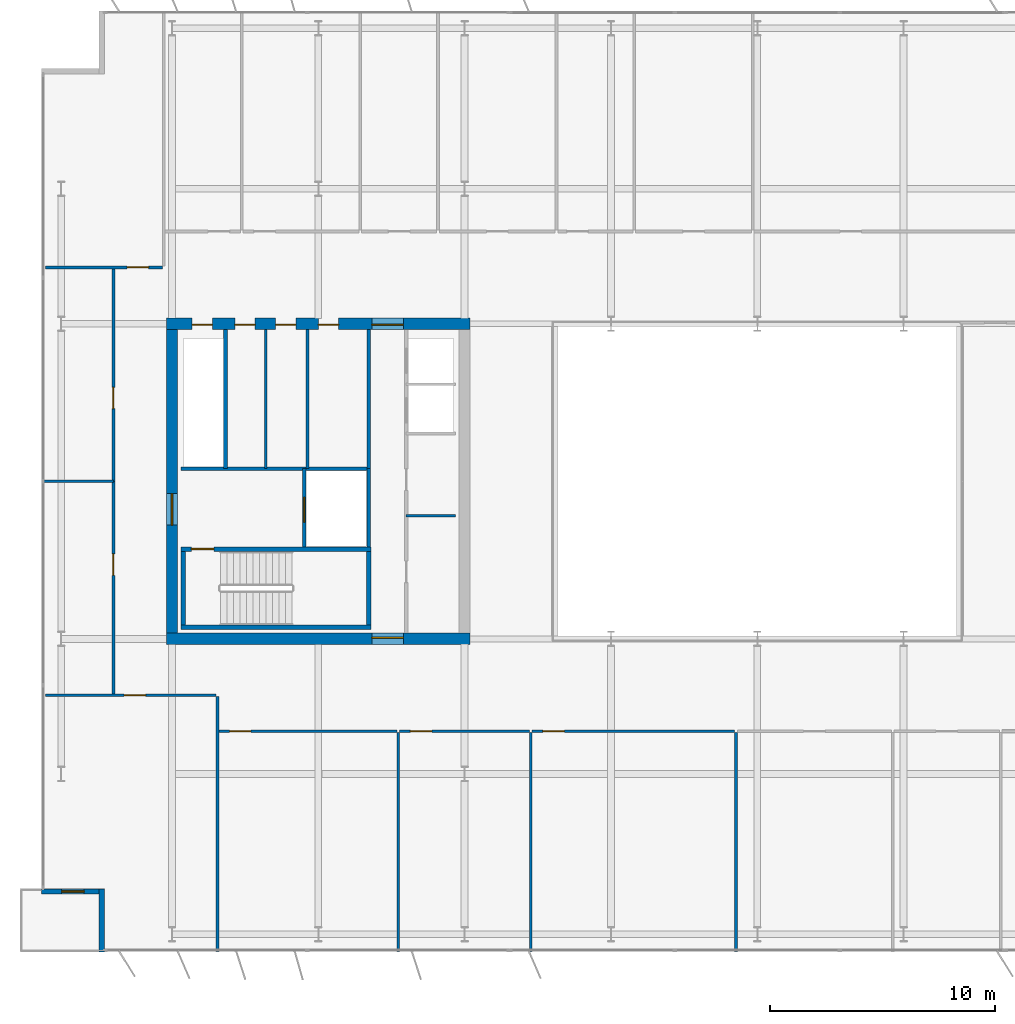
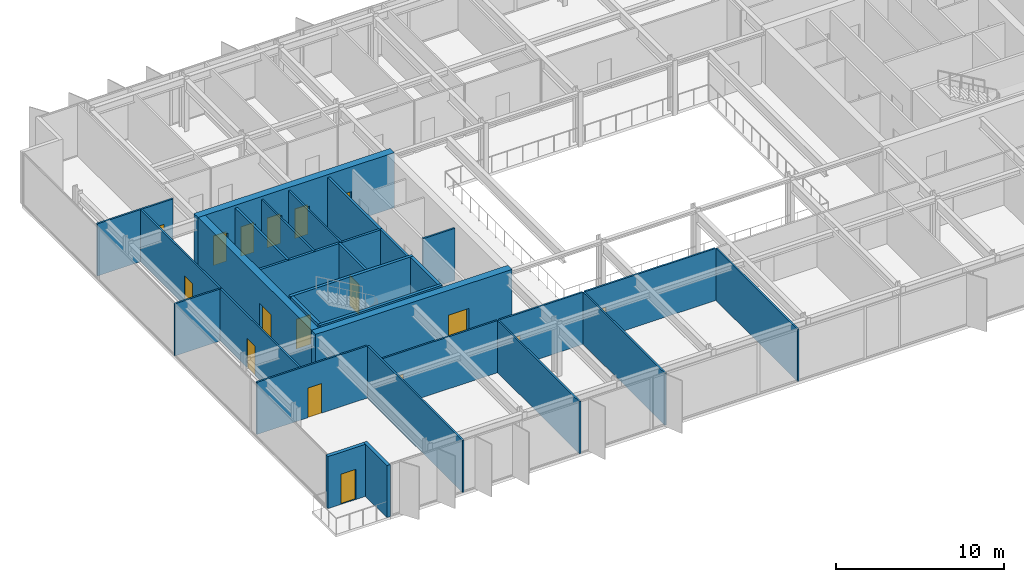
# One storey, part 13 of 20: 29 walls, 17 doors, 17 openings.
"""IFC4 building model written with IfcOpenShell, lengths in metres."""

from ifc_helpers import new_model, si_unit, direction, frame, frame_2d, origin, place, context, subcontext, project, spatial, rectangle, extrude, material, layer, layer_set, type_object, element, fill, save


model = new_model("IFC4")

# Units and contexts
model_context = context("Model", 3, precision=1e-05, world=origin(), true_north=direction((0.0, 1.0)))
body_context = subcontext(model_context, "Body", "Model", "MODEL_VIEW")
ifc_project = project(units=[si_unit("LENGTHUNIT", "METRE"), si_unit("AREAUNIT", "SQUARE_METRE"), si_unit("VOLUMEUNIT", "CUBIC_METRE"), si_unit("PLANEANGLEUNIT", "RADIAN"), si_unit("MASSUNIT", "GRAM", prefix="KILO")], contexts=[model_context])

# Site, building, storey
site_placement = place(None, origin())
site = spatial("IfcSite", under=ifc_project, at=site_placement, CompositionType="ELEMENT")
building_placement = place(site_placement, origin())
building = spatial("IfcBuilding", under=site, at=building_placement, Name="Putna Gate Headquarters", CompositionType="ELEMENT")
storey_placement = place(building_placement, frame((0.0, 0.0, 286.39990234375)))
storey = spatial("IfcBuildingStorey", under=building, at=storey_placement, Name="L72", CompositionType="ELEMENT", Elevation=286.39990234375)

# Wall, opening, door
ifc_material_1 = material(Name="Concrete C50/60", Category="concrete")
ifc_layer_1 = layer(ifc_material_1, 0.5)
ifc_layer_set_1 = layer_set([ifc_layer_1], Name="Concrete C50/60")
wall_type_1 = type_object("IfcWallType", Name="WALL-CORE-500", PredefinedType="SHEAR", material=ifc_layer_set_1)
wall_1_placement = place(storey_placement, frame((12.75, 19.0, 0.0), z_axis=(0.0, 0.0, 1.0), x_axis=(1.0, 0.0, 0.0)))
wall_1 = element("IfcWall", 1, at=wall_1_placement, inside=storey, type_object=wall_type_1, Name="L72 WC Split Core Shear Wall S", PredefinedType="SHEAR", context=body_context, shape_type="SweptSolid", body=[
    extrude(rectangle(XDim=13.5, YDim=0.5, at=frame_2d((6.75, 0.0))), origin(), (0.0, 0.0, 1.0), 4.0),
])
opening_1_placement = place(wall_1_placement, frame((9.1298828125, 0.0, 0.0)))
opening_1 = element("IfcOpeningElement", 2, at=opening_1_placement, cuts=wall_1, Name="Opening FDD-140", PredefinedType="OPENING", context=body_context, shape_type="SweptSolid", body=[
    extrude(rectangle(XDim=1.39990234375, YDim=2.199951171875, at=frame_2d((0.699951171875, 1.10009765625))), frame((0.0, 0.260009765625, 0.0), z_axis=(0.0, -1.0, 0.0), x_axis=(1.0, 0.0, 0.0)), (0.0, 0.0, 1.0), 0.52001953125),
])
ifc_material_2 = material(Name="Double steel fire door", Category="steel")
door_type_1 = type_object("IfcDoorType", Name="DOOR-FIRE-DBL-1400", OperationType="DOUBLE_DOOR_SINGLE_SWING", PredefinedType="DOOR", material=ifc_material_2)
door_1_placement = place(opening_1_placement, origin())
door_1 = element("IfcDoor", 3, at=door_1_placement, inside=storey, type_object=door_type_1, Name="L72 West Lift Lobby South Door", OperationType="DOUBLE_DOOR_SINGLE_SWING", OverallHeight=2.199951171875, OverallWidth=1.39990234375, PredefinedType="DOOR", context=body_context, shape_type="SweptSolid", body=[
    extrude(rectangle(XDim=1.39990234375, YDim=2.199951171875, at=frame_2d((0.699951171875, 1.10009765625))), frame((0.0, 0.0751953125, 0.0), z_axis=(0.0, -1.0, 0.0), x_axis=(1.0, 0.0, 0.0)), (0.0, 0.0, 1.0), 0.050048828125),
])
fill(opening_1, door_1)

# Wall, openings, doors
wall_2_placement = place(storey_placement, frame((12.75, 33.0, 0.0), z_axis=(0.0, 0.0, 1.0), x_axis=(1.0, 0.0, 0.0)))
wall_2 = element("IfcWall", 4, at=wall_2_placement, inside=storey, type_object=wall_type_1, Name="L72 WC Split Core Shear Wall N", PredefinedType="SHEAR", context=body_context, shape_type="SweptSolid", body=[
    extrude(rectangle(XDim=13.5, YDim=0.5, at=frame_2d((6.75, 0.0))), origin(), (0.0, 0.0, 1.0), 4.0),
])
opening_2_placement = place(wall_2_placement, frame((1.14990234375, 0.0, 0.0)))
opening_2 = element("IfcOpeningElement", 5, at=opening_2_placement, cuts=wall_2, Name="Opening RD-90", PredefinedType="OPENING", context=body_context, shape_type="SweptSolid", body=[
    extrude(rectangle(XDim=0.89990234375, YDim=2.14990234375, at=frame_2d((0.449951171875, 1.074951171875))), frame((0.0, 0.260009765625, 0.0), z_axis=(0.0, -1.0, 0.0), x_axis=(1.0, 0.0, 0.0)), (0.0, 0.0, 1.0), 0.52001953125),
])
opening_3_placement = place(wall_2_placement, frame((3.050048828125, 0.0, 0.0)))
opening_3 = element("IfcOpeningElement", 6, at=opening_3_placement, cuts=wall_2, Name="Opening IDS-90", PredefinedType="OPENING", context=body_context, shape_type="SweptSolid", body=[
    extrude(rectangle(XDim=0.89990234375, YDim=2.14990234375, at=frame_2d((0.449951171875, 1.074951171875))), frame((0.0, 0.260009765625, 0.0), z_axis=(0.0, -1.0, 0.0), x_axis=(1.0, 0.0, 0.0)), (0.0, 0.0, 1.0), 0.52001953125),
])
opening_4_placement = place(wall_2_placement, frame((4.85009765625, 0.0, 0.0)))
opening_4 = element("IfcOpeningElement", 7, at=opening_4_placement, cuts=wall_2, Name="Opening IDS-90", PredefinedType="OPENING", context=body_context, shape_type="SweptSolid", body=[
    extrude(rectangle(XDim=0.89990234375, YDim=2.14990234375, at=frame_2d((0.449951171875, 1.074951171875))), frame((0.0, 0.260009765625, 0.0), z_axis=(0.0, -1.0, 0.0), x_axis=(1.0, 0.0, 0.0)), (0.0, 0.0, 1.0), 0.52001953125),
])
opening_5_placement = place(wall_2_placement, frame((6.75, 0.0, 0.0)))
opening_5 = element("IfcOpeningElement", 8, at=opening_5_placement, cuts=wall_2, Name="Opening IDS-90", PredefinedType="OPENING", context=body_context, shape_type="SweptSolid", body=[
    extrude(rectangle(XDim=0.89990234375, YDim=2.14990234375, at=frame_2d((0.449951171875, 1.074951171875))), frame((0.0, 0.260009765625, 0.0), z_axis=(0.0, -1.0, 0.0), x_axis=(1.0, 0.0, 0.0)), (0.0, 0.0, 1.0), 0.52001953125),
])
opening_6_placement = place(wall_2_placement, frame((9.1298828125, 0.0, 0.0)))
opening_6 = element("IfcOpeningElement", 9, at=opening_6_placement, cuts=wall_2, Name="Opening FDD-140", PredefinedType="OPENING", context=body_context, shape_type="SweptSolid", body=[
    extrude(rectangle(XDim=1.39990234375, YDim=2.199951171875, at=frame_2d((0.699951171875, 1.10009765625))), frame((0.0, 0.260009765625, 0.0), z_axis=(0.0, -1.0, 0.0), x_axis=(1.0, 0.0, 0.0)), (0.0, 0.0, 1.0), 0.52001953125),
])
door_2_placement = place(opening_6_placement, origin())
door_2 = element("IfcDoor", 10, at=door_2_placement, inside=storey, type_object=door_type_1, Name="L72 West Lift Lobby North Door", OperationType="DOUBLE_DOOR_SINGLE_SWING", OverallHeight=2.199951171875, OverallWidth=1.39990234375, PredefinedType="DOOR", context=body_context, shape_type="SweptSolid", body=[
    extrude(rectangle(XDim=1.39990234375, YDim=2.199951171875, at=frame_2d((0.699951171875, 1.10009765625))), frame((0.0, -0.02490234375, 0.0), z_axis=(0.0, -1.0, 0.0), x_axis=(1.0, 0.0, 0.0)), (0.0, 0.0, 1.0), 0.050048828125),
])
fill(opening_6, door_2)
ifc_material_3 = material(Name="Fire-rated utility door")
door_type_2 = type_object("IfcDoorType", Name="DOOR-INT-900", OperationType="NOTDEFINED", PredefinedType="DOOR", material=ifc_material_3)
door_3_placement = place(opening_3_placement, origin())
door_3 = element("IfcDoor", 11, at=door_3_placement, inside=storey, type_object=door_type_2, Name="L72 Janitor Cupboard Door", OperationType="SINGLE_SWING_LEFT", OverallHeight=2.14990234375, OverallWidth=0.89990234375, PredefinedType="DOOR", context=body_context, shape_type="SweptSolid", body=[
    extrude(rectangle(XDim=0.89990234375, YDim=2.14990234375, at=frame_2d((0.449951171875, 1.074951171875))), frame((0.0, -0.02490234375, 0.0), z_axis=(0.0, -1.0, 0.0), x_axis=(1.0, 0.0, 0.0)), (0.0, 0.0, 1.0), 0.050048828125),
])
fill(opening_3, door_3)
door_4_placement = place(opening_4_placement, origin())
door_4 = element("IfcDoor", 12, at=door_4_placement, inside=storey, type_object=door_type_2, Name="L72 IT Patch Plant Door", OperationType="SINGLE_SWING_RIGHT", OverallHeight=2.14990234375, OverallWidth=0.89990234375, PredefinedType="DOOR", context=body_context, shape_type="SweptSolid", body=[
    extrude(rectangle(XDim=0.89990234375, YDim=2.14990234375, at=frame_2d((0.449951171875, 1.074951171875))), frame((0.0, -0.02490234375, 0.0), z_axis=(0.0, -1.0, 0.0), x_axis=(1.0, 0.0, 0.0)), (0.0, 0.0, 1.0), 0.050048828125),
])
fill(opening_4, door_4)
door_5_placement = place(opening_5_placement, origin())
door_5 = element("IfcDoor", 13, at=door_5_placement, inside=storey, type_object=door_type_2, Name="L72 Building Records Store Door", OperationType="SINGLE_SWING_LEFT", OverallHeight=2.14990234375, OverallWidth=0.89990234375, PredefinedType="DOOR", context=body_context, shape_type="SweptSolid", body=[
    extrude(rectangle(XDim=0.89990234375, YDim=2.14990234375, at=frame_2d((0.449951171875, 1.074951171875))), frame((0.0, -0.02490234375, 0.0), z_axis=(0.0, -1.0, 0.0), x_axis=(1.0, 0.0, 0.0)), (0.0, 0.0, 1.0), 0.050048828125),
])
fill(opening_5, door_5)
ifc_material_4 = material(Name="Steel riser access fire door", Category="steel")
door_type_3 = type_object("IfcDoorType", Name="DOOR-RISER-900", OperationType="NOTDEFINED", PredefinedType="DOOR", material=ifc_material_4)
door_6_placement = place(opening_2_placement, origin())
door_6 = element("IfcDoor", 14, at=door_6_placement, inside=storey, type_object=door_type_3, Name="L72 West Riser Access Door", OperationType="SINGLE_SWING_RIGHT", OverallHeight=2.14990234375, OverallWidth=0.89990234375, PredefinedType="DOOR", context=body_context, shape_type="SweptSolid", body=[
    extrude(rectangle(XDim=0.89990234375, YDim=2.14990234375, at=frame_2d((0.449951171875, 1.074951171875))), frame((0.0, -0.02490234375, 0.0), z_axis=(0.0, -1.0, 0.0), x_axis=(1.0, 0.0, 0.0)), (0.0, 0.0, 1.0), 0.050048828125),
])
fill(opening_2, door_6)

# Wall, opening, door
wall_3_placement = place(storey_placement, frame((13.0, 19.25, 0.0), z_axis=(0.0, 0.0, 1.0), x_axis=(0.0, 1.0, 0.0)))
wall_3 = element("IfcWall", 15, at=wall_3_placement, inside=storey, type_object=wall_type_1, Name="L72 WC Split Core Shear Wall W", PredefinedType="SHEAR", context=body_context, shape_type="SweptSolid", body=[
    extrude(rectangle(XDim=13.5, YDim=0.5, at=frame_2d((6.75, 0.0))), origin(), (0.0, 0.0, 1.0), 4.0),
])
opening_7_placement = place(wall_3_placement, frame((4.800048828125, 0.0, 0.0)))
opening_7 = element("IfcOpeningElement", 16, at=opening_7_placement, cuts=wall_3, Name="Opening FDD-140", PredefinedType="OPENING", context=body_context, shape_type="SweptSolid", body=[
    extrude(rectangle(XDim=1.39990234375, YDim=2.199951171875, at=frame_2d((0.699951171875, 1.10009765625))), frame((0.0, 0.260009765625, 0.0), z_axis=(0.0, -1.0, 0.0), x_axis=(1.0, 0.0, 0.0)), (0.0, 0.0, 1.0), 0.52001953125),
])
door_7_placement = place(opening_7_placement, origin())
door_7 = element("IfcDoor", 17, at=door_7_placement, inside=storey, type_object=door_type_1, Name="L72 West Firefighting Lobby Door", OperationType="DOUBLE_DOOR_SINGLE_SWING", OverallHeight=2.199951171875, OverallWidth=1.39990234375, PredefinedType="DOOR", context=body_context, shape_type="SweptSolid", body=[
    extrude(rectangle(XDim=1.39990234375, YDim=2.199951171875, at=frame_2d((0.699951171875, 1.10009765625))), frame((0.0, 0.02490234375, 0.0), z_axis=(0.0, -1.0, 0.0), x_axis=(1.0, 0.0, 0.0)), (0.0, 0.0, 1.0), 0.050048828125),
])
fill(opening_7, door_7)

# Wall
ifc_material_5 = material(Name="Precast concrete C40/50", Category="concrete")
ifc_layer_2 = layer(ifc_material_5, 0.239990234375)
ifc_layer_set_2 = layer_set([ifc_layer_2], Name="Precast concrete C40/50")
wall_type_2 = type_object("IfcWallType", Name="WALL-EXT-TERR-240", PredefinedType="STANDARD", material=ifc_layer_set_2)
wall_4_placement = place(storey_placement, frame((9.8798828125, 5.10009765625, 0.0), z_axis=(0.0, 0.0, 1.0), x_axis=(0.0, 1.0, 0.0)))
element("IfcWall", 18, at=wall_4_placement, inside=storey, type_object=wall_type_2, Name="L72 Corner Notch Return Wall SW-V", PredefinedType="STANDARD", context=body_context, shape_type="SweptSolid", body=[
    extrude(rectangle(XDim=2.7998046875, YDim=0.239990234375, at=frame_2d((1.39990234375, 0.0))), origin(), (0.0, 0.0, 1.0), 3.7880859375),
])

# Wall, opening, door
wall_5_placement = place(storey_placement, frame((10.0, 7.780029296875, 0.0), z_axis=(0.0, 0.0, 1.0), x_axis=(-1.0, 0.0, 0.0)))
wall_5 = element("IfcWall", 19, at=wall_5_placement, inside=storey, type_object=wall_type_2, Name="L72 Corner Notch Return Wall SW-H", PredefinedType="STANDARD", context=body_context, shape_type="SweptSolid", body=[
    extrude(rectangle(XDim=2.800048828125, YDim=0.239990234375, at=frame_2d((1.39990234375, 0.0))), origin(), (0.0, 0.0, 1.0), 3.7880859375),
])
opening_8_placement = place(wall_5_placement, frame((0.89990234375, 0.0, 0.0)))
opening_8 = element("IfcOpeningElement", 20, at=opening_8_placement, cuts=wall_5, Name="Opening TRD-1", PredefinedType="OPENING", context=body_context, shape_type="SweptSolid", body=[
    extrude(rectangle(XDim=1.0, YDim=2.199951171875, at=frame_2d((0.5, 1.10009765625))), frame((0.0, 0.1298828125, 0.0), z_axis=(0.0, -1.0, 0.0), x_axis=(1.0, 0.0, 0.0)), (0.0, 0.0, 1.0), 0.260009765625),
])
ifc_material_6 = material(Name="Thermally broken bronze glazed terrace door")
door_type_4 = type_object("IfcDoorType", Name="DOOR-TERR-EXT-1000", OperationType="NOTDEFINED", PredefinedType="DOOR", material=ifc_material_6)
door_8_placement = place(opening_8_placement, origin())
door_8 = element("IfcDoor", 21, at=door_8_placement, inside=storey, type_object=door_type_4, Name="L72 Spiral Sky Terrace Door SW", OperationType="SINGLE_SWING_LEFT", OverallHeight=2.199951171875, OverallWidth=1.0, PredefinedType="DOOR", context=body_context, shape_type="SweptSolid", body=[
    extrude(rectangle(XDim=1.0, YDim=2.199951171875, at=frame_2d((0.5, 1.10009765625))), frame((0.0, 0.02490234375, 0.0), z_axis=(0.0, -1.0, 0.0), x_axis=(1.0, 0.0, 0.0)), (0.0, 0.0, 1.0), 0.050048828125),
])
fill(opening_8, door_8)

# Walls
ifc_material_7 = material(Name="Acoustic gypsum board on metal stud")
ifc_layer_3 = layer(ifc_material_7, 0.1201171875)
ifc_layer_set_3 = layer_set([ifc_layer_3], Name="Acoustic gypsum board on metal stud")
wall_type_3 = type_object("IfcWallType", Name="WALL-PART-120", PredefinedType="PARTITIONING", material=ifc_layer_set_3)
wall_6_placement = place(storey_placement, frame((15.02099609375, 5.1201171875, 0.0), z_axis=(0.0, 0.0, 1.0), x_axis=(0.0, 1.0, 0.0)))
element("IfcWall", 22, at=wall_6_placement, inside=storey, type_object=wall_type_3, Name="L72 Interior Wall PART-L72-SB-DIV-01", PredefinedType="PARTITIONING", context=body_context, shape_type="SweptSolid", body=[
    extrude(rectangle(XDim=11.31982421875, YDim=0.1201171875, at=frame_2d((5.659912109375, 0.0))), origin(), (0.0, 0.0, 1.0), 3.7880859375),
])
for number, where, z_axis, x_axis, name in (
    (23, (23.0546875, 5.1201171875, 0.0), (0.0, 0.0, 1.0), (0.0, 1.0, 0.0), "L72 Interior Wall PART-L72-SB-DIV-02"),
    (24, (28.94091796875, 5.1201171875, 0.0), (0.0, 0.0, 1.0), (0.0, 1.0, 0.0), "L72 Interior Wall PART-L72-SB-DIV-03"),
    (25, (38.05517578125, 5.1201171875, 0.0), (0.0, 0.0, 1.0), (0.0, 1.0, 0.0), "L72 Interior Wall PART-L72-SB-DIV-04"),
):
    element("IfcWall", number, at=place(storey_placement, frame(where, z_axis=z_axis, x_axis=x_axis)), inside=storey, type_object=wall_type_3, Name=name, PredefinedType="PARTITIONING", context=body_context, shape_type="SweptSolid", body=[
        extrude(rectangle(XDim=9.719970703125, YDim=0.1201171875, at=frame_2d((4.85986328125, 0.0))), origin(), (0.0, 0.0, 1.0), 3.7880859375),
    ])
wall_7_placement = place(storey_placement, frame((7.219970703125, 26.0, 0.0), z_axis=(0.0, 0.0, 1.0), x_axis=(1.0, 0.0, 0.0)))
element("IfcWall", 26, at=wall_7_placement, inside=storey, type_object=wall_type_3, Name="L72 Interior Wall PART-L72-WW-DIV-1", PredefinedType="PARTITIONING", context=body_context, shape_type="SweptSolid", body=[
    extrude(rectangle(XDim=3.179931640625, YDim=0.1201171875, at=frame_2d((1.58984375, 0.0))), origin(), (0.0, 0.0, 1.0), 3.7880859375),
])
ifc_material_8 = material(Name="Fire-rated gypsum board on metal stud")
ifc_layer_4 = layer(ifc_material_8, 0.1201171875)
ifc_layer_set_4 = layer_set([ifc_layer_4], Name="Fire-rated gypsum board on metal stud")
wall_type_4 = type_object("IfcWallType", Name="WALL-PART-120-RATED", PredefinedType="PARTITIONING", material=ifc_layer_set_4)
for number, where, z_axis, x_axis, name in (
    (27, (17.169921875, 26.56005859375, 0.0), (0.0, 0.0, 1.0), (0.0, 1.0, 0.0), "L72 Interior Wall CWINT-L72-WC-K2-D1"),
    (28, (19.02001953125, 26.56005859375, 0.0), (0.0, 0.0, 1.0), (0.0, 1.0, 0.0), "L72 Interior Wall CWINT-L72-WC-K2-D2"),
):
    element("IfcWall", number, at=place(storey_placement, frame(where, z_axis=z_axis, x_axis=x_axis)), inside=storey, type_object=wall_type_4, Name=name, PredefinedType="PARTITIONING", context=body_context, shape_type="SweptSolid", body=[
        extrude(rectangle(XDim=6.18994140625, YDim=0.1201171875, at=frame_2d((3.094970703125, 0.0))), origin(), (0.0, 0.0, 1.0), 3.7880859375),
    ])
wall_8_placement = place(storey_placement, frame((23.39990234375, 24.469970703125, 0.0), z_axis=(0.0, 0.0, 1.0), x_axis=(1.0, 0.0, 0.0)))
element("IfcWall", 29, at=wall_8_placement, inside=storey, type_object=wall_type_4, Name="L72 Interior Wall CWINT-L72-WC-REUSE-DIV", PredefinedType="PARTITIONING", context=body_context, shape_type="SweptSolid", body=[
    extrude(rectangle(XDim=2.2001953125, YDim=0.1201171875, at=frame_2d((1.10009765625, 0.0))), origin(), (0.0, 0.0, 1.0), 3.7880859375),
])

# Wall, opening, door
wall_9_placement = place(storey_placement, frame((7.3798828125, 35.5, 0.0), z_axis=(0.0, 0.0, 1.0), x_axis=(1.0, 0.0, 0.0)))
wall_9 = element("IfcWall", 30, at=wall_9_placement, inside=storey, type_object=wall_type_4, Name="L72 Interior Wall PART-L72-NB-CW-01", PredefinedType="PARTITIONING", context=body_context, shape_type="SweptSolid", body=[
    extrude(rectangle(XDim=5.197998046875, YDim=0.1201171875, at=frame_2d((2.59912109375, 0.0))), origin(), (0.0, 0.0, 1.0), 3.7880859375),
])
opening_9_placement = place(wall_9_placement, frame((3.634033203125, 0.0, 0.0)))
opening_9 = element("IfcOpeningElement", 31, at=opening_9_placement, cuts=wall_9, Name="Opening FD-95", PredefinedType="OPENING", context=body_context, shape_type="SweptSolid", body=[
    extrude(rectangle(XDim=0.949951171875, YDim=2.14990234375, at=frame_2d((0.47509765625, 1.074951171875))), frame((0.0, 0.070068359375, 0.0), z_axis=(0.0, -1.0, 0.0), x_axis=(1.0, 0.0, 0.0)), (0.0, 0.0, 1.0), 0.14013671875),
])
ifc_material_9 = material(Name="Acoustic timber fire door", Category="wood")
door_type_5 = type_object("IfcDoorType", Name="DOOR-FIRE-950", OperationType="NOTDEFINED", PredefinedType="DOOR", material=ifc_material_9)
door_9_placement = place(opening_9_placement, origin())
door_9 = element("IfcDoor", 32, at=door_9_placement, inside=storey, type_object=door_type_5, Name="L72 Collaborative Breakout Lounge 3 Door", OperationType="SINGLE_SWING_RIGHT", OverallHeight=2.14990234375, OverallWidth=0.949951171875, PredefinedType="DOOR", context=body_context, shape_type="SweptSolid", body=[
    extrude(rectangle(XDim=0.949951171875, YDim=2.14990234375, at=frame_2d((0.47509765625, 1.074951171875))), frame((0.0, 0.02490234375, 0.0), z_axis=(0.0, -1.0, 0.0), x_axis=(1.0, 0.0, 0.0)), (0.0, 0.0, 1.0), 0.050048828125),
])
fill(opening_9, door_9)

wall_10_placement = place(storey_placement, frame((7.3798828125, 16.5, 0.0), z_axis=(0.0, 0.0, 1.0), x_axis=(1.0, 0.0, 0.0)))
wall_10 = element("IfcWall", 33, at=wall_10_placement, inside=storey, type_object=wall_type_4, Name="L72 Interior Wall PART-L72-SB-CW-01", PredefinedType="PARTITIONING", context=body_context, shape_type="SweptSolid", body=[
    extrude(rectangle(XDim=7.5810546875, YDim=0.1201171875, at=frame_2d((3.79052734375, 0.0))), origin(), (0.0, 0.0, 1.0), 3.7880859375),
])
opening_10_placement = place(wall_10_placement, frame((3.5, 0.0, 0.0)))
opening_10 = element("IfcOpeningElement", 34, at=opening_10_placement, cuts=wall_10, Name="Opening FD-95", PredefinedType="OPENING", context=body_context, shape_type="SweptSolid", body=[
    extrude(rectangle(XDim=0.949951171875, YDim=2.14990234375, at=frame_2d((0.47509765625, 1.074951171875))), frame((0.0, 0.070068359375, 0.0), z_axis=(0.0, -1.0, 0.0), x_axis=(1.0, 0.0, 0.0)), (0.0, 0.0, 1.0), 0.14013671875),
])
door_10_placement = place(opening_10_placement, origin())
door_10 = element("IfcDoor", 35, at=door_10_placement, inside=storey, type_object=door_type_5, Name="L72 Cellular Office 1 Door", OperationType="SINGLE_SWING_LEFT", OverallHeight=2.14990234375, OverallWidth=0.949951171875, PredefinedType="DOOR", context=body_context, shape_type="SweptSolid", body=[
    extrude(rectangle(XDim=0.949951171875, YDim=2.14990234375, at=frame_2d((0.47509765625, 1.074951171875))), frame((0.0, 0.02490234375, 0.0), z_axis=(0.0, -1.0, 0.0), x_axis=(1.0, 0.0, 0.0)), (0.0, 0.0, 1.0), 0.050048828125),
])
fill(opening_10, door_10)

wall_11_placement = place(storey_placement, frame((15.080810546875, 14.89990234375, 0.0), z_axis=(0.0, 0.0, 1.0), x_axis=(1.0, 0.0, 0.0)))
wall_11 = element("IfcWall", 36, at=wall_11_placement, inside=storey, type_object=wall_type_4, Name="L72 Interior Wall PART-L72-SB-CW-02", PredefinedType="PARTITIONING", context=body_context, shape_type="SweptSolid", body=[
    extrude(rectangle(XDim=7.913818359375, YDim=0.1201171875, at=frame_2d((3.95703125, 0.0))), origin(), (0.0, 0.0, 1.0), 3.7880859375),
])
opening_11_placement = place(wall_11_placement, frame((0.47998046875, 0.0, 0.0)))
opening_11 = element("IfcOpeningElement", 37, at=opening_11_placement, cuts=wall_11, Name="Opening FD-95", PredefinedType="OPENING", context=body_context, shape_type="SweptSolid", body=[
    extrude(rectangle(XDim=0.949951171875, YDim=2.14990234375, at=frame_2d((0.47509765625, 1.074951171875))), frame((0.0, 0.070068359375, 0.0), z_axis=(0.0, -1.0, 0.0), x_axis=(1.0, 0.0, 0.0)), (0.0, 0.0, 1.0), 0.14013671875),
])
door_11_placement = place(opening_11_placement, origin())
door_11 = element("IfcDoor", 38, at=door_11_placement, inside=storey, type_object=door_type_5, Name="L72 Conference Meeting Room 2 Door", OperationType="SINGLE_SWING_RIGHT", OverallHeight=2.14990234375, OverallWidth=0.949951171875, PredefinedType="DOOR", context=body_context, shape_type="SweptSolid", body=[
    extrude(rectangle(XDim=0.949951171875, YDim=2.14990234375, at=frame_2d((0.47509765625, 1.074951171875))), frame((0.0, 0.02490234375, 0.0), z_axis=(0.0, -1.0, 0.0), x_axis=(1.0, 0.0, 0.0)), (0.0, 0.0, 1.0), 0.050048828125),
])
fill(opening_11, door_11)

wall_12_placement = place(storey_placement, frame((23.11474609375, 14.89990234375, 0.0), z_axis=(0.0, 0.0, 1.0), x_axis=(1.0, 0.0, 0.0)))
wall_12 = element("IfcWall", 39, at=wall_12_placement, inside=storey, type_object=wall_type_4, Name="L72 Interior Wall PART-L72-SB-CW-03", PredefinedType="PARTITIONING", context=body_context, shape_type="SweptSolid", body=[
    extrude(rectangle(XDim=5.766357421875, YDim=0.1201171875, at=frame_2d((2.88330078125, 0.0))), origin(), (0.0, 0.0, 1.0), 3.7880859375),
])
opening_12_placement = place(wall_12_placement, frame((0.47998046875, 0.0, 0.0)))
opening_12 = element("IfcOpeningElement", 40, at=opening_12_placement, cuts=wall_12, Name="Opening FD-95", PredefinedType="OPENING", context=body_context, shape_type="SweptSolid", body=[
    extrude(rectangle(XDim=0.949951171875, YDim=2.14990234375, at=frame_2d((0.47509765625, 1.074951171875))), frame((0.0, 0.070068359375, 0.0), z_axis=(0.0, -1.0, 0.0), x_axis=(1.0, 0.0, 0.0)), (0.0, 0.0, 1.0), 0.14013671875),
])
door_12_placement = place(opening_12_placement, origin())
door_12 = element("IfcDoor", 41, at=door_12_placement, inside=storey, type_object=door_type_5, Name="L72 Conference Meeting Room 3 Door", OperationType="SINGLE_SWING_LEFT", OverallHeight=2.14990234375, OverallWidth=0.949951171875, PredefinedType="DOOR", context=body_context, shape_type="SweptSolid", body=[
    extrude(rectangle(XDim=0.949951171875, YDim=2.14990234375, at=frame_2d((0.47509765625, 1.074951171875))), frame((0.0, 0.02490234375, 0.0), z_axis=(0.0, -1.0, 0.0), x_axis=(1.0, 0.0, 0.0)), (0.0, 0.0, 1.0), 0.050048828125),
])
fill(opening_12, door_12)

wall_13_placement = place(storey_placement, frame((29.0009765625, 14.89990234375, 0.0), z_axis=(0.0, 0.0, 1.0), x_axis=(1.0, 0.0, 0.0)))
wall_13 = element("IfcWall", 42, at=wall_13_placement, inside=storey, type_object=wall_type_4, Name="L72 Interior Wall PART-L72-SB-CW-04", PredefinedType="PARTITIONING", context=body_context, shape_type="SweptSolid", body=[
    extrude(rectangle(XDim=8.994140625, YDim=0.1201171875, at=frame_2d((4.4970703125, 0.0))), origin(), (0.0, 0.0, 1.0), 3.7880859375),
])
opening_13_placement = place(wall_13_placement, frame((0.47998046875, 0.0, 0.0)))
opening_13 = element("IfcOpeningElement", 43, at=opening_13_placement, cuts=wall_13, Name="Opening FD-95", PredefinedType="OPENING", context=body_context, shape_type="SweptSolid", body=[
    extrude(rectangle(XDim=0.949951171875, YDim=2.14990234375, at=frame_2d((0.47509765625, 1.074951171875))), frame((0.0, 0.070068359375, 0.0), z_axis=(0.0, -1.0, 0.0), x_axis=(1.0, 0.0, 0.0)), (0.0, 0.0, 1.0), 0.14013671875),
])
door_13_placement = place(opening_13_placement, origin())
door_13 = element("IfcDoor", 44, at=door_13_placement, inside=storey, type_object=door_type_5, Name="L72 Conference Meeting Room 4 Door", OperationType="SINGLE_SWING_RIGHT", OverallHeight=2.14990234375, OverallWidth=0.949951171875, PredefinedType="DOOR", context=body_context, shape_type="SweptSolid", body=[
    extrude(rectangle(XDim=0.949951171875, YDim=2.14990234375, at=frame_2d((0.47509765625, 1.074951171875))), frame((0.0, 0.02490234375, 0.0), z_axis=(0.0, -1.0, 0.0), x_axis=(1.0, 0.0, 0.0)), (0.0, 0.0, 1.0), 0.050048828125),
])
fill(opening_13, door_13)

wall_14_placement = place(storey_placement, frame((10.39990234375, 16.5, 0.0), z_axis=(0.0, 0.0, 1.0), x_axis=(0.0, 1.0, 0.0)))
wall_14 = element("IfcWall", 45, at=wall_14_placement, inside=storey, type_object=wall_type_4, Name="L72 Interior Wall PART-L72-WW-CW-1", PredefinedType="PARTITIONING", context=body_context, shape_type="SweptSolid", body=[
    extrude(rectangle(XDim=9.5, YDim=0.1201171875, at=frame_2d((4.75, 0.0))), origin(), (0.0, 0.0, 1.0), 3.7880859375),
])
opening_14_placement = place(wall_14_placement, frame((5.324951171875, 0.0, 0.0)))
opening_14 = element("IfcOpeningElement", 46, at=opening_14_placement, cuts=wall_14, Name="Opening FD-95", PredefinedType="OPENING", context=body_context, shape_type="SweptSolid", body=[
    extrude(rectangle(XDim=0.949951171875, YDim=2.14990234375, at=frame_2d((0.47509765625, 1.074951171875))), frame((0.0, 0.070068359375, 0.0), z_axis=(0.0, -1.0, 0.0), x_axis=(1.0, 0.0, 0.0)), (0.0, 0.0, 1.0), 0.14013671875),
])
door_14_placement = place(opening_14_placement, origin())
door_14 = element("IfcDoor", 47, at=door_14_placement, inside=storey, type_object=door_type_5, Name="L72 West Executive Office 1 Door", OperationType="SINGLE_SWING_RIGHT", OverallHeight=2.14990234375, OverallWidth=0.949951171875, PredefinedType="DOOR", context=body_context, shape_type="SweptSolid", body=[
    extrude(rectangle(XDim=0.949951171875, YDim=2.14990234375, at=frame_2d((0.47509765625, 1.074951171875))), frame((0.0, 0.02490234375, 0.0), z_axis=(0.0, -1.0, 0.0), x_axis=(1.0, 0.0, 0.0)), (0.0, 0.0, 1.0), 0.050048828125),
])
fill(opening_14, door_14)

wall_15_placement = place(storey_placement, frame((10.39990234375, 26.0, 0.0), z_axis=(0.0, 0.0, 1.0), x_axis=(0.0, 1.0, 0.0)))
wall_15 = element("IfcWall", 48, at=wall_15_placement, inside=storey, type_object=wall_type_4, Name="L72 Interior Wall PART-L72-WW-CW-2", PredefinedType="PARTITIONING", context=body_context, shape_type="SweptSolid", body=[
    extrude(rectangle(XDim=9.5, YDim=0.1201171875, at=frame_2d((4.75, 0.0))), origin(), (0.0, 0.0, 1.0), 3.7880859375),
])
opening_15_placement = place(wall_15_placement, frame((3.22509765625, 0.0, 0.0)))
opening_15 = element("IfcOpeningElement", 49, at=opening_15_placement, cuts=wall_15, Name="Opening FD-95", PredefinedType="OPENING", context=body_context, shape_type="SweptSolid", body=[
    extrude(rectangle(XDim=0.949951171875, YDim=2.14990234375, at=frame_2d((0.47509765625, 1.074951171875))), frame((0.0, 0.070068359375, 0.0), z_axis=(0.0, -1.0, 0.0), x_axis=(1.0, 0.0, 0.0)), (0.0, 0.0, 1.0), 0.14013671875),
])
door_15_placement = place(opening_15_placement, origin())
door_15 = element("IfcDoor", 50, at=door_15_placement, inside=storey, type_object=door_type_5, Name="L72 West Executive Office 2 Door", OperationType="SINGLE_SWING_LEFT", OverallHeight=2.14990234375, OverallWidth=0.949951171875, PredefinedType="DOOR", context=body_context, shape_type="SweptSolid", body=[
    extrude(rectangle(XDim=0.949951171875, YDim=2.14990234375, at=frame_2d((0.47509765625, 1.074951171875))), frame((0.0, 0.02490234375, 0.0), z_axis=(0.0, -1.0, 0.0), x_axis=(1.0, 0.0, 0.0)), (0.0, 0.0, 1.0), 0.050048828125),
])
fill(opening_15, door_15)

# Wall
ifc_material_10 = material(Name="Concrete C40/50", Category="concrete")
ifc_layer_5 = layer(ifc_material_10, 0.159912109375)
ifc_layer_set_5 = layer_set([ifc_layer_5], Name="Concrete C40/50")
wall_type_5 = type_object("IfcWallType", Name="WALL-SHAFT-160", PredefinedType="STANDARD", material=ifc_layer_set_5)
wall_16_placement = place(storey_placement, frame((21.739990234375, 23.090087890625, 0.0), z_axis=(0.0, 0.0, 1.0), x_axis=(0.0, 1.0, 0.0)))
element("IfcWall", 51, at=wall_16_placement, inside=storey, type_object=wall_type_5, Name="L72 Interior Wall CWINT-L72-WC-FFL-E", PredefinedType="STANDARD", context=body_context, shape_type="SweptSolid", body=[
    extrude(rectangle(XDim=3.469970703125, YDim=0.159912109375, at=frame_2d((1.73486328125, 0.0))), origin(), (0.0, 0.0, 1.0), 3.7880859375),
])

# Wall, opening, door
wall_17_placement = place(storey_placement, frame((18.8798828125, 23.090087890625, 0.0), z_axis=(0.0, 0.0, 1.0), x_axis=(0.0, 1.0, 0.0)))
wall_17 = element("IfcWall", 52, at=wall_17_placement, inside=storey, type_object=wall_type_5, Name="L72 Interior Wall CWINT-L72-WC-LF13-W", PredefinedType="STANDARD", context=body_context, shape_type="SweptSolid", body=[
    extrude(rectangle(XDim=3.469970703125, YDim=0.159912109375, at=frame_2d((1.73486328125, 0.0))), origin(), (0.0, 0.0, 1.0), 3.7880859375),
])
opening_16_placement = place(wall_17_placement, frame((1.10009765625, 0.0, 0.0)))
opening_16 = element("IfcOpeningElement", 53, at=opening_16_placement, cuts=wall_17, Name="Opening LD-1", PredefinedType="OPENING", context=body_context, shape_type="SweptSolid", body=[
    extrude(rectangle(XDim=1.10009765625, YDim=2.199951171875, at=frame_2d((0.550048828125, 1.10009765625))), frame((0.0, 0.08984375, 0.0), z_axis=(0.0, -1.0, 0.0), x_axis=(1.0, 0.0, 0.0)), (0.0, 0.0, 1.0), 0.179931640625),
])
ifc_material_11 = material(Name="Brushed bronze stainless lift landing door")
door_type_6 = type_object("IfcDoorType", Name="DOOR-LIFT-1100", OperationType="DOUBLE_DOOR_SLIDING", PredefinedType="DOOR", material=ifc_material_11)
door_16_placement = place(opening_16_placement, origin())
door_16 = element("IfcDoor", 54, at=door_16_placement, inside=storey, type_object=door_type_6, Name="L72 Lift Landing Door LD-13", OperationType="DOUBLE_DOOR_SLIDING", OverallHeight=2.199951171875, OverallWidth=1.10009765625, PredefinedType="DOOR", context=body_context, shape_type="SweptSolid", body=[
    extrude(rectangle(XDim=1.10009765625, YDim=2.199951171875, at=frame_2d((0.550048828125, 1.10009765625))), frame((0.0, 0.02490234375, 0.0), z_axis=(0.0, -1.0, 0.0), x_axis=(1.0, 0.0, 0.0)), (0.0, 0.0, 1.0), 0.050048828125),
])
fill(opening_16, door_16)

# Walls
wall_18_placement = place(storey_placement, frame((13.39990234375, 26.56005859375, 0.0), z_axis=(0.0, 0.0, 1.0), x_axis=(1.0, 0.0, 0.0)))
element("IfcWall", 55, at=wall_18_placement, inside=storey, type_object=wall_type_5, Name="L72 Interior Wall CWINT-L72-WC-FFL-N", PredefinedType="STANDARD", context=body_context, shape_type="SweptSolid", body=[
    extrude(rectangle(XDim=8.340087890625, YDim=0.159912109375, at=frame_2d((4.169921875, 0.0))), origin(), (0.0, 0.0, 1.0), 3.7880859375),
])
for number, where, z_axis, x_axis, name in (
    (56, (15.3798828125, 26.56005859375, 0.0), (0.0, 0.0, 1.0), (0.0, 1.0, 0.0), "L72 Interior Wall CWINT-L72-WC-RISER-E"),
    (57, (21.739990234375, 26.56005859375, 0.0), (0.0, 0.0, 1.0), (0.0, 1.0, 0.0), "L72 Interior Wall CWINT-L72-WC-LOB-W"),
):
    element("IfcWall", number, at=place(storey_placement, frame(where, z_axis=z_axis, x_axis=x_axis)), inside=storey, type_object=wall_type_5, Name=name, PredefinedType="STANDARD", context=body_context, shape_type="SweptSolid", body=[
        extrude(rectangle(XDim=6.18994140625, YDim=0.159912109375, at=frame_2d((3.094970703125, 0.0))), origin(), (0.0, 0.0, 1.0), 3.7880859375),
    ])
ifc_layer_6 = layer(ifc_material_10, 0.199951171875)
ifc_layer_set_6 = layer_set([ifc_layer_6], Name="Concrete C40/50")
wall_type_6 = type_object("IfcWallType", Name="WALL-SHAFT-RC200", PredefinedType="SHEAR", material=ifc_layer_set_6)
wall_19_placement = place(storey_placement, frame((13.409912109375, 19.510009765625, 0.0), z_axis=(0.0, 0.0, 1.0), x_axis=(1.0, 0.0, 0.0)))
element("IfcWall", 58, at=wall_19_placement, inside=storey, type_object=wall_type_6, Name="L72 Stair ST1 Structural Shaft Wall S", PredefinedType="SHEAR", context=body_context, shape_type="SweptSolid", body=[
    extrude(rectangle(XDim=8.43017578125, YDim=0.199951171875, at=frame_2d((4.215087890625, 0.0))), origin(), (0.0, 0.0, 1.0), 4.0),
])

# Wall, opening, door
wall_20_placement = place(storey_placement, frame((13.409912109375, 22.989990234375, 0.0), z_axis=(0.0, 0.0, 1.0), x_axis=(1.0, 0.0, 0.0)))
wall_20 = element("IfcWall", 59, at=wall_20_placement, inside=storey, type_object=wall_type_6, Name="L72 Stair ST1 Structural Shaft Wall N", PredefinedType="SHEAR", context=body_context, shape_type="SweptSolid", body=[
    extrude(rectangle(XDim=8.43017578125, YDim=0.199951171875, at=frame_2d((4.215087890625, 0.0))), origin(), (0.0, 0.0, 1.0), 4.0),
])
opening_17_placement = place(wall_20_placement, frame((0.449951171875, 0.0, 0.0)))
opening_17 = element("IfcOpeningElement", 60, at=opening_17_placement, cuts=wall_20, Name="Opening FD-100", PredefinedType="OPENING", context=body_context, shape_type="SweptSolid", body=[
    extrude(rectangle(XDim=1.0, YDim=2.14990234375, at=frame_2d((0.5, 1.074951171875))), frame((0.0, 0.10986328125, 0.0), z_axis=(0.0, -1.0, 0.0), x_axis=(1.0, 0.0, 0.0)), (0.0, 0.0, 1.0), 0.219970703125),
])
ifc_material_12 = material(Name="Powder-coated steel fire door", Category="steel")
door_type_7 = type_object("IfcDoorType", Name="DOOR-FIRE-1000", OperationType="NOTDEFINED", PredefinedType="DOOR", material=ifc_material_12)
door_17_placement = place(opening_17_placement, origin())
door_17 = element("IfcDoor", 61, at=door_17_placement, inside=storey, type_object=door_type_7, Name="L72 Stair ST1 Fire Door", OperationType="SINGLE_SWING_LEFT", OverallHeight=2.14990234375, OverallWidth=1.0, PredefinedType="DOOR", context=body_context, shape_type="SweptSolid", body=[
    extrude(rectangle(XDim=1.0, YDim=2.14990234375, at=frame_2d((0.5, 1.074951171875))), frame((0.0, 0.02490234375, 0.0), z_axis=(0.0, -1.0, 0.0), x_axis=(1.0, 0.0, 0.0)), (0.0, 0.0, 1.0), 0.050048828125),
])
fill(opening_17, door_17)

# Walls
for number, where, z_axis, x_axis, name in (
    (62, (13.510009765625, 19.610107421875, 0.0), (0.0, 0.0, 1.0), (0.0, 1.0, 0.0), "L72 Stair ST1 Structural Shaft Wall W"),
    (63, (21.739990234375, 19.610107421875, 0.0), (0.0, 0.0, 1.0), (0.0, 1.0, 0.0), "L72 Stair ST1 Structural Shaft Wall E"),
):
    element("IfcWall", number, at=place(storey_placement, frame(where, z_axis=z_axis, x_axis=x_axis)), inside=storey, type_object=wall_type_6, Name=name, PredefinedType="SHEAR", context=body_context, shape_type="SweptSolid", body=[
        extrude(rectangle(XDim=3.27978515625, YDim=0.199951171875, at=frame_2d((1.639892578125, 0.0))), origin(), (0.0, 0.0, 1.0), 4.0),
    ])

save(model, "model.ifc")
